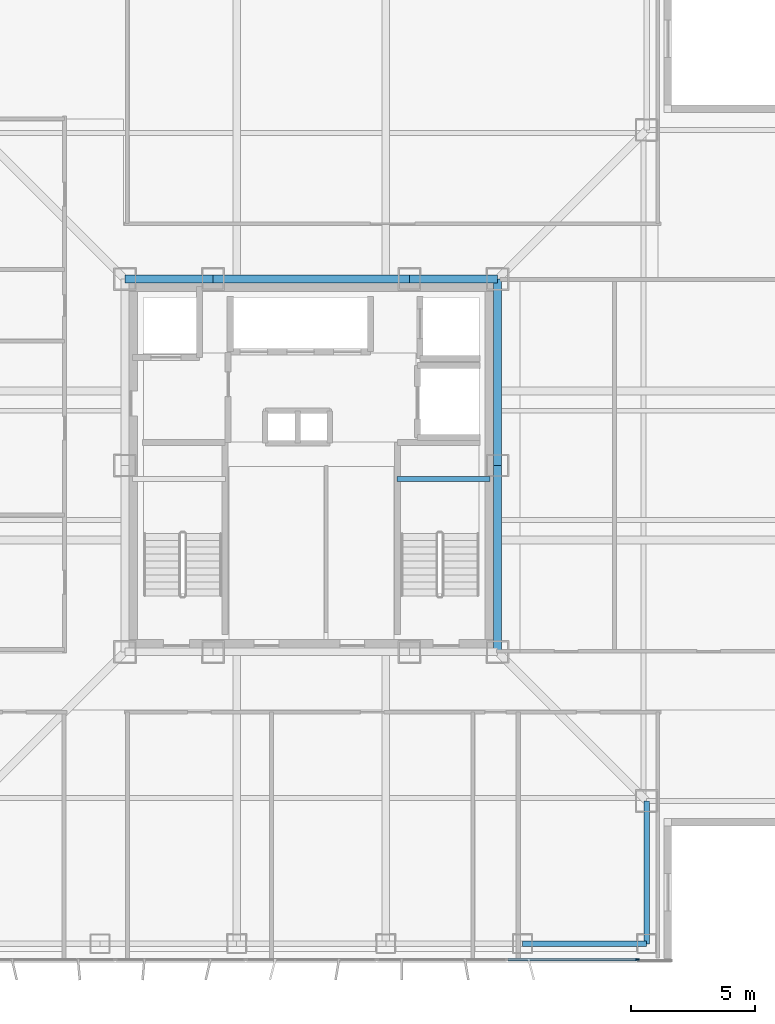
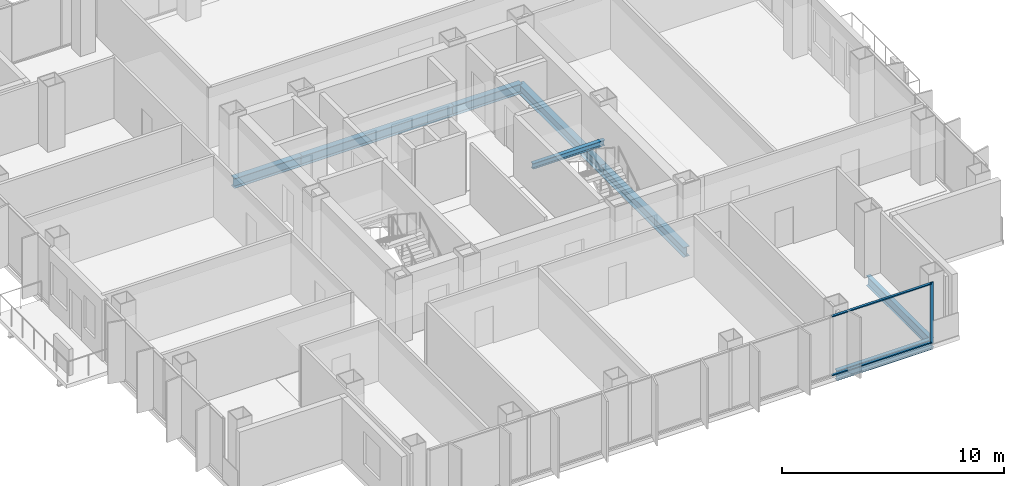
# One storey, part 5 of 15: 8 beams, 3 members, 1 element without a shape of its own.
"""IFC4 building model written with IfcOpenShell, lengths in metres."""

from ifc_helpers import new_model, si_unit, direction, frame, origin, origin_2d, place, context, subcontext, project, spatial, rectangle, i_section, extrude, material, layer, layer_set, material_profile, profile_set, type_object, element, aggregate, save


model = new_model("IFC4")

# Units and contexts
model_context = context("Model", 3, precision=1e-05, world=origin(), true_north=direction((0.0, 1.0)))
body_context = subcontext(model_context, "Body", "Model", "MODEL_VIEW")
ifc_project = project(units=[si_unit("LENGTHUNIT", "METRE"), si_unit("AREAUNIT", "SQUARE_METRE"), si_unit("VOLUMEUNIT", "CUBIC_METRE"), si_unit("PLANEANGLEUNIT", "RADIAN"), si_unit("MASSUNIT", "GRAM", prefix="KILO")], contexts=[model_context])

# Site, building, storey
site_placement = place(None, origin())
site = spatial("IfcSite", under=ifc_project, at=site_placement, CompositionType="ELEMENT")
building_placement = place(site_placement, origin())
building = spatial("IfcBuilding", under=site, at=building_placement, Name="Trevonay Congress Spire", CompositionType="ELEMENT")
storey_placement = place(building_placement, frame((0.0, 0.0, 216.60009765625)))
storey = spatial("IfcBuildingStorey", under=building, at=storey_placement, Name="L56", CompositionType="ELEMENT", Elevation=216.60009765625)

# Beams
ifc_material_1 = material(Name="Steel ASTM A572 Grade 50", Category="steel")
ifc_material_profile_1 = material_profile(ifc_material_1, i_section(OverallWidth=0.31201171875, OverallDepth=0.54296875, WebThickness=0.0126953125, FlangeThickness=0.020263671875, FilletRadius=0.014892578125, at=origin_2d()), Name="W530x150")
ifc_profile_set_1 = profile_set([ifc_material_profile_1], Name="Steel ASTM A572 Grade 50")
beam_type_1 = type_object("IfcBeamType", Name="BM-GIRD-W530X150", PredefinedType="BEAM", material=ifc_profile_set_1)
beam_1_placement = place(storey_placement, frame((-7.5, 7.5, -0.51171875), z_axis=(1.0, 0.0, 0.0), x_axis=(0.0, 1.0, 0.0)))
element("IfcBeam", 1, at=beam_1_placement, inside=storey, type_object=beam_type_1, Name="L56 structural beam BM-L56-CR-N1", PredefinedType="BEAM", context=body_context, shape_type="SweptSolid", body=[
    extrude(i_section(OverallWidth=0.31201171875, OverallDepth=0.54296875, WebThickness=0.0126953125, FlangeThickness=0.020263671875, FilletRadius=0.014892578125, at=origin_2d()), origin(), (0.0, 0.0, 1.0), 3.550048828125),
])
beam_2_placement = place(storey_placement, frame((-3.949951171875, 7.5, -0.51171875), z_axis=(1.0, 0.0, 0.0), x_axis=(0.0, 1.0, 0.0)))
element("IfcBeam", 2, at=beam_2_placement, inside=storey, type_object=beam_type_1, Name="L56 structural beam BM-L56-CR-N2", PredefinedType="BEAM", context=body_context, shape_type="SweptSolid", body=[
    extrude(i_section(OverallWidth=0.31201171875, OverallDepth=0.54296875, WebThickness=0.0126953125, FlangeThickness=0.020263671875, FilletRadius=0.014892578125, at=origin_2d()), origin(), (0.0, 0.0, 1.0), 7.89990234375),
])
beam_3_placement = place(storey_placement, frame((3.949951171875, 7.5, -0.51171875), z_axis=(1.0, 0.0, 0.0), x_axis=(0.0, 1.0, 0.0)))
element("IfcBeam", 3, at=beam_3_placement, inside=storey, type_object=beam_type_1, Name="L56 structural beam BM-L56-CR-N3", PredefinedType="BEAM", context=body_context, shape_type="SweptSolid", body=[
    extrude(i_section(OverallWidth=0.31201171875, OverallDepth=0.54296875, WebThickness=0.0126953125, FlangeThickness=0.020263671875, FilletRadius=0.014892578125, at=origin_2d()), origin(), (0.0, 0.0, 1.0), 3.550048828125),
])
for number, where, z_axis, x_axis, name in (
    (4, (7.5, -7.5, -0.51171875), (0.0, 1.0, 0.0), (-1.0, 0.0, 0.0), "L56 structural beam BM-L56-CR-E1"),
    (5, (7.5, 0.0, -0.51171875), (0.0, 1.0, 0.0), (-1.0, 0.0, 0.0), "L56 structural beam BM-L56-CR-E2"),
):
    element("IfcBeam", number, at=place(storey_placement, frame(where, z_axis=z_axis, x_axis=x_axis)), inside=storey, type_object=beam_type_1, Name=name, PredefinedType="BEAM", context=body_context, shape_type="SweptSolid", body=[
        extrude(i_section(OverallWidth=0.31201171875, OverallDepth=0.54296875, WebThickness=0.0126953125, FlangeThickness=0.020263671875, FilletRadius=0.014892578125, at=origin_2d()), origin(), (0.0, 0.0, 1.0), 7.5),
    ])
ifc_material_profile_2 = material_profile(ifc_material_1, i_section(OverallWidth=0.2119140625, OverallDepth=0.5439453125, WebThickness=0.01318359375, FlangeThickness=0.021240234375, FilletRadius=0.014892578125, at=origin_2d()), Name="W530x123")
ifc_profile_set_2 = profile_set([ifc_material_profile_2], Name="Steel ASTM A572 Grade 50")
beam_type_2 = type_object("IfcBeamType", Name="BM-RING-W530X123", PredefinedType="BEAM", material=ifc_profile_set_2)
beam_4_placement = place(storey_placement, frame((8.5, -19.25, -0.51220703125), z_axis=(1.0, 0.0, 0.0), x_axis=(0.0, 1.0, 0.0)))
element("IfcBeam", 6, at=beam_4_placement, inside=storey, type_object=beam_type_2, Name="L56 structural beam BM-L56-PS5", PredefinedType="BEAM", context=body_context, shape_type="SweptSolid", body=[
    extrude(i_section(OverallWidth=0.2119140625, OverallDepth=0.5439453125, WebThickness=0.01318359375, FlangeThickness=0.021240234375, FilletRadius=0.014892578125, at=origin_2d()), origin(), (0.0, 0.0, 1.0), 5.0),
])
beam_5_placement = place(storey_placement, frame((13.5, -19.25, -0.51220703125), z_axis=(0.0, 1.0, 0.0), x_axis=(-1.0, 0.0, 0.0)))
element("IfcBeam", 7, at=beam_5_placement, inside=storey, type_object=beam_type_2, Name="L56 structural beam BM-L56-N1SE", PredefinedType="BEAM", context=body_context, shape_type="SweptSolid", body=[
    extrude(i_section(OverallWidth=0.2119140625, OverallDepth=0.5439453125, WebThickness=0.01318359375, FlangeThickness=0.021240234375, FilletRadius=0.014892578125, at=origin_2d()), origin(), (0.0, 0.0, 1.0), 5.75),
])

# Curtain wall, members
ifc_material_2 = material(Name="Pale Anodised Aluminium EN AW-6063-T6", Category="aluminium")
ifc_layer = layer(ifc_material_2, 0.169921875, Name="Pale Anodised Aluminium EN AW-6063-T6")
ifc_layer_set = layer_set([ifc_layer], Name="Pale Anodised Aluminium EN AW-6063-T6")
curtain_wall_type = type_object("IfcCurtainWallType", Name="CW-SYS04-CORP-PALE-METAL", PredefinedType="NOTDEFINED", material=ifc_layer_set)
curtain_wall_placement = place(storey_placement, origin())
curtain_wall = element("IfcCurtainWall", 8, at=curtain_wall_placement, inside=storey, type_object=curtain_wall_type, Name="L56 S unitised curtain wall", PredefinedType="NOTDEFINED")
ifc_material_profile_3 = material_profile(ifc_material_2, rectangle(XDim=0.06005859375, YDim=0.159912109375, at=origin_2d()), Name="CW-MULLION-160-ALUMINIUM")
ifc_profile_set_3 = profile_set([ifc_material_profile_3], Name="Pale Anodised Aluminium EN AW-6063-T6")
member_type_1 = type_object("IfcMemberType", Name="CW-MULLION-160-ALUMINIUM", PredefinedType="MULLION", material=ifc_profile_set_3)
member_1_placement = place(storey_placement, frame((13.1201171875, -19.8798828125, 0.0), z_axis=(0.0, 0.0, 1.0), x_axis=(0.0, 1.0, 0.0)))
member_1 = element("IfcMember", 9, at=member_1_placement, type_object=member_type_1, Name="CW04 mullion 6", PredefinedType="MULLION", context=body_context, shape_type="SweptSolid", body=[
    extrude(rectangle(XDim=0.06005859375, YDim=0.159912109375, at=origin_2d()), origin(), (0.0, 0.0, 1.0), 3.35986328125),
])
ifc_material_profile_4 = material_profile(ifc_material_2, rectangle(XDim=0.1201171875, YDim=0.06005859375, at=origin_2d()), Name="CW-TRANSOM-120-ALUMINIUM")
ifc_profile_set_4 = profile_set([ifc_material_profile_4], Name="Pale Anodised Aluminium EN AW-6063-T6")
member_type_2 = type_object("IfcMemberType", Name="CW-TRANSOM-120-ALUMINIUM", PredefinedType="USERDEFINED", material=ifc_profile_set_4)
member_2_placement = place(storey_placement, frame((7.919921875, -19.8798828125, 0.059814453125), z_axis=(1.0, 0.0, 0.0), x_axis=(0.0, 1.0, 0.0)))
member_2 = element("IfcMember", 10, at=member_2_placement, type_object=member_type_2, Name="CW04 transom 5.1", ObjectType="TRANSOM", PredefinedType="USERDEFINED", context=body_context, shape_type="SweptSolid", body=[
    extrude(rectangle(XDim=0.1201171875, YDim=0.06005859375, at=origin_2d()), origin(), (0.0, 0.0, 1.0), 5.170166015625),
])
member_3_placement = place(storey_placement, frame((7.919921875, -19.8798828125, 3.2998046875), z_axis=(1.0, 0.0, 0.0), x_axis=(0.0, 1.0, 0.0)))
member_3 = element("IfcMember", 11, at=member_3_placement, type_object=member_type_2, Name="CW04 transom 5.2", ObjectType="TRANSOM", PredefinedType="USERDEFINED", context=body_context, shape_type="SweptSolid", body=[
    extrude(rectangle(XDim=0.1201171875, YDim=0.06005859375, at=origin_2d()), origin(), (0.0, 0.0, 1.0), 5.170166015625),
])
aggregate(curtain_wall, [member_1, member_2, member_3])

# Beam
ifc_material_profile_5 = material_profile(ifc_material_1, i_section(OverallWidth=0.2041015625, OverallDepth=0.305908203125, WebThickness=0.008544921875, FlangeThickness=0.0146484375, FilletRadius=0.010986328125, at=origin_2d()), Name="W310x67")
ifc_profile_set_5 = profile_set([ifc_material_profile_5], Name="Steel ASTM A572 Grade 50")
beam_type_3 = type_object("IfcBeamType", Name="LN-CORE-W310X67", PredefinedType="LINTEL", material=ifc_profile_set_5)
beam_6_placement = place(storey_placement, frame((3.449951171875, -0.550048828125, 1.447021484375), z_axis=(1.0, 0.0, 0.0), x_axis=(0.0, 1.0, 0.0)))
element("IfcBeam", 12, at=beam_6_placement, inside=storey, type_object=beam_type_3, Name="L56 structural beam BM-L56-HL-ST2", PredefinedType="LINTEL", context=body_context, shape_type="SweptSolid", body=[
    extrude(i_section(OverallWidth=0.2041015625, OverallDepth=0.305908203125, WebThickness=0.008544921875, FlangeThickness=0.0146484375, FilletRadius=0.010986328125, at=origin_2d()), origin(), (0.0, 0.0, 1.0), 3.75),
])

save(model, "model.ifc")
